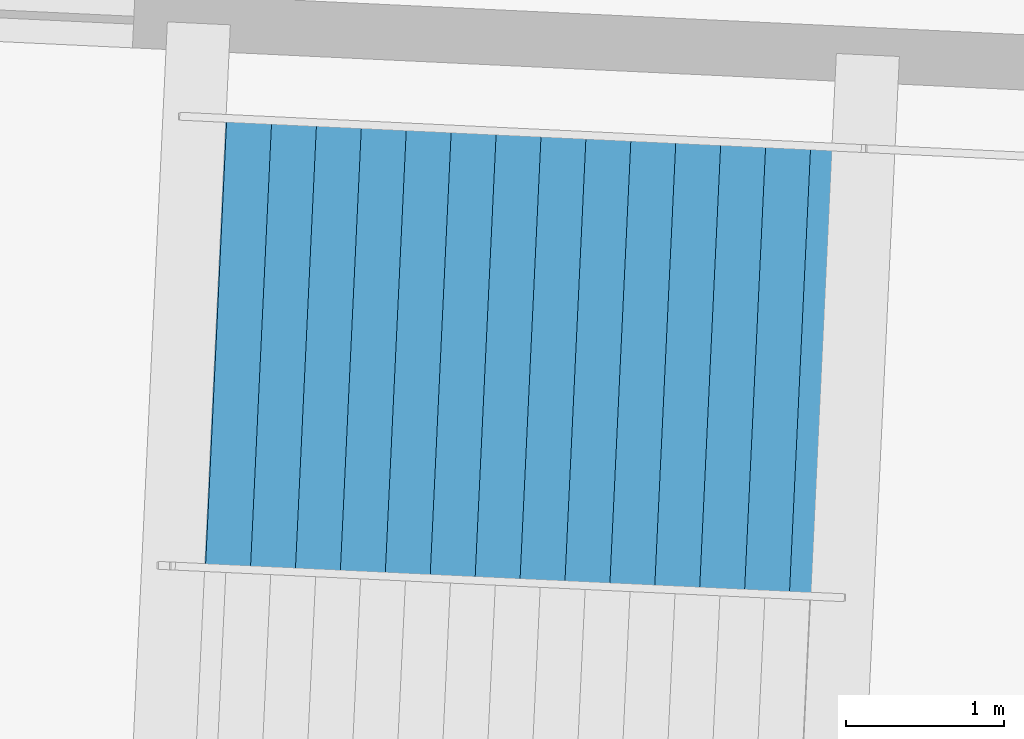
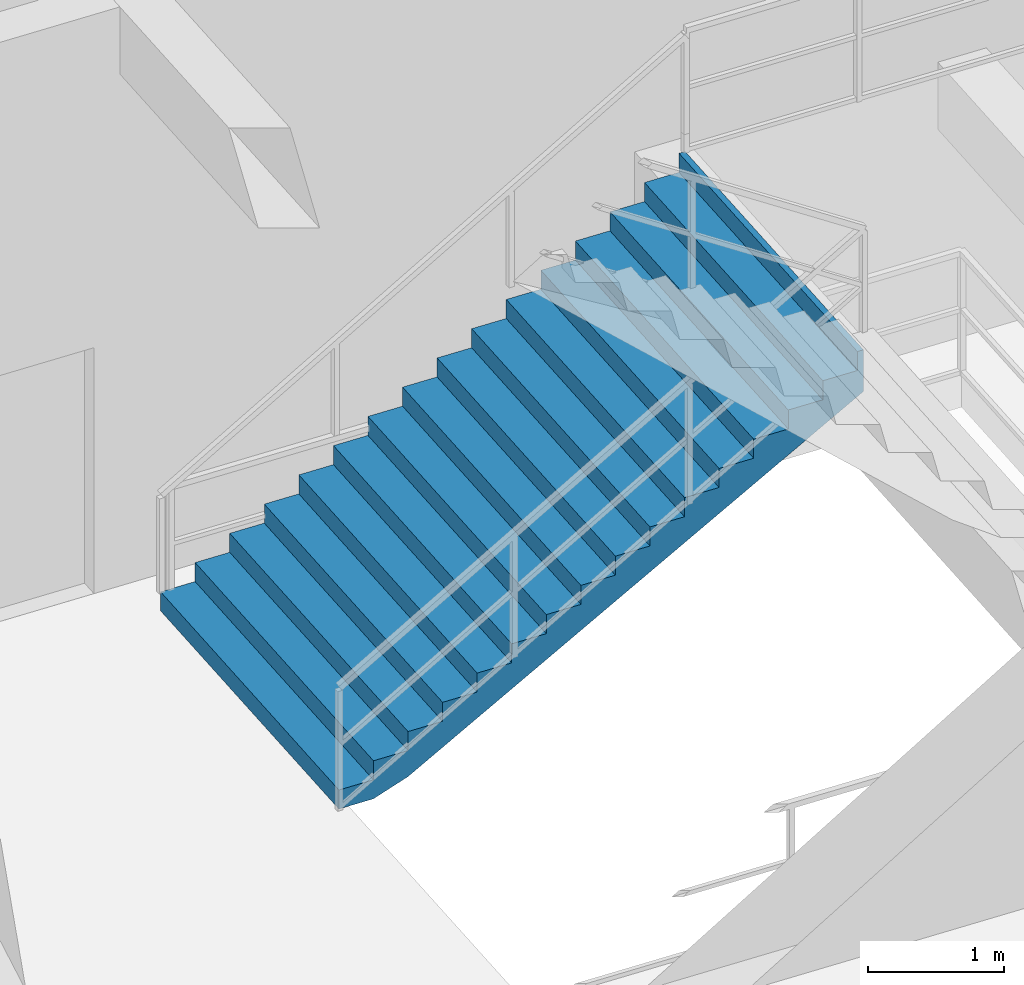
# One storey, part 147 of 186: 1 stair flight, 1 element without a shape of its own.
"""IFC4 building model written with IfcOpenShell, lengths in metres."""

from ifc_helpers import new_model, si_unit, direction, frame, origin, place, context, subcontext, project, spatial, polygons, material, type_object, element, aggregate, save


model = new_model("IFC4")

# Units and contexts
model_context = context("Model", 3, precision=1e-05, world=origin(), true_north=direction((0.0, 1.0)))
body_context = subcontext(model_context, "Body", "Model", "MODEL_VIEW")
ifc_project = project(units=[si_unit("LENGTHUNIT", "METRE"), si_unit("AREAUNIT", "SQUARE_METRE"), si_unit("VOLUMEUNIT", "CUBIC_METRE"), si_unit("PLANEANGLEUNIT", "RADIAN"), si_unit("MASSUNIT", "GRAM", prefix="KILO")], contexts=[model_context])

# Site, building, storey
site_placement = place(None, origin())
site = spatial("IfcSite", under=ifc_project, at=site_placement, CompositionType="ELEMENT")
building_placement = place(site_placement, origin())
building = spatial("IfcBuilding", under=site, at=building_placement, Name="Kazemori Nagisa Stadium", CompositionType="ELEMENT")
storey_placement = place(building_placement, frame((0.0, 0.0, 20.39990234375)))
storey = spatial("IfcBuildingStorey", under=building, at=storey_placement, Name="L04", CompositionType="ELEMENT", Elevation=20.39990234375)

# Stair, stair flight
ifc_material = material(Name="Concrete C36/45 (Fc36)", Category="concrete")
stair_type = type_object("IfcStairType", Name="Stair_CORE_32", PredefinedType="TWO_STRAIGHT_RUN_STAIR", material=ifc_material)
stair_placement = place(storey_placement, origin())
stair = element("IfcStair", 1, at=stair_placement, inside=storey, type_object=stair_type, Name="Exit stair ST12 L04", PredefinedType="TWO_STRAIGHT_RUN_STAIR")
stair_flight_type = type_object("IfcStairFlightType", Name="Flight_CORE_16", PredefinedType="STRAIGHT", material=ifc_material)
stair_flight_placement = place(storey_placement, frame((107.177490234375, 24.015380859375, 0.0), z_axis=(0.0, 0.0, 1.0), x_axis=(0.998881406673, -0.047285678619, 0.0)))
stair_flight = element("IfcStairFlight", 2, at=stair_flight_placement, type_object=stair_flight_type, Name="Exit stair ST12 L04 flight 1", NumberOfRisers=16, NumberOfTreads=15, PredefinedType="STRAIGHT", RiserHeight=0.17, TreadLength=0.285, context=body_context, shape_type="Tessellation", body=[
    polygons([(0.0, -1.425048828125, 0.0), (0.0, -1.425048828125, 0.169921875), (0.284912109375, -1.425048828125, 0.169921875), (0.284912109375, -1.425048828125, 0.340087890625), (0.570068359375, -1.425048828125, 0.340087890625), (0.570068359375, -1.425048828125, 0.510009765625), (0.85498046875, -1.425048828125, 0.510009765625), (0.85498046875, -1.425048828125, 0.679931640625), (1.139892578125, -1.425048828125, 0.679931640625), (1.139892578125, -1.425048828125, 0.85009765625), (1.425048828125, -1.425048828125, 0.85009765625), (1.425048828125, -1.425048828125, 1.02001953125), (1.7099609375, -1.425048828125, 1.02001953125), (1.7099609375, -1.425048828125, 1.18994140625), (1.9951171875, -1.425048828125, 1.18994140625), (1.9951171875, -1.425048828125, 1.360107421875), (2.280029296875, -1.425048828125, 1.360107421875), (2.280029296875, -1.425048828125, 1.530029296875), (2.56494140625, -1.425048828125, 1.530029296875), (2.56494140625, -1.425048828125, 1.699951171875), (2.85009765625, -1.425048828125, 1.699951171875), (2.85009765625, -1.425048828125, 1.8701171875), (3.135009765625, -1.425048828125, 1.8701171875), (3.135009765625, -1.425048828125, 2.0400390625), (3.419921875, -1.425048828125, 2.0400390625), (3.419921875, -1.425048828125, 2.2099609375), (3.705078125, -1.425048828125, 2.2099609375), (3.705078125, -1.425048828125, 2.3798828125), (3.989990234375, -1.425048828125, 2.3798828125), (3.989990234375, -1.425048828125, 2.550048828125), (4.27490234375, -1.425048828125, 2.550048828125), (4.27490234375, -1.425048828125, 2.719970703125), (4.324951171875, -1.425048828125, 2.719970703125), (4.324951171875, -1.425048828125, 2.346923828125), (4.27490234375, -1.425048828125, 2.317138671875), (3.989990234375, -1.425048828125, 2.147216796875), (3.705078125, -1.425048828125, 1.977294921875), (3.419921875, -1.425048828125, 1.80712890625), (3.135009765625, -1.425048828125, 1.63720703125), (2.85009765625, -1.425048828125, 1.46728515625), (2.56494140625, -1.425048828125, 1.297119140625), (2.280029296875, -1.425048828125, 1.127197265625), (1.9951171875, -1.425048828125, 0.957275390625), (1.7099609375, -1.425048828125, 0.787109375), (1.425048828125, -1.425048828125, 0.6171875), (1.139892578125, -1.425048828125, 0.447265625), (0.85498046875, -1.425048828125, 0.277099609375), (0.570068359375, -1.425048828125, 0.107177734375), (0.284912109375, -1.425048828125, 0.0), (0.0, -0.08544921875, 0.0), (0.0, -0.08544921875, 0.169921875), (0.284912109375, -0.08544921875, 0.169921875), (0.284912109375, -0.08544921875, 0.340087890625), (0.570068359375, -0.08544921875, 0.340087890625), (0.570068359375, -0.08544921875, 0.510009765625), (0.85498046875, -0.08544921875, 0.510009765625), (0.85498046875, -0.08544921875, 0.679931640625), (1.139892578125, -0.08544921875, 0.679931640625), (1.139892578125, -0.08544921875, 0.85009765625), (1.425048828125, -0.08544921875, 0.85009765625), (1.425048828125, -0.08544921875, 1.02001953125), (1.7099609375, -0.08544921875, 1.02001953125), (1.7099609375, -0.08544921875, 1.18994140625), (1.9951171875, -0.08544921875, 1.18994140625), (1.9951171875, -0.08544921875, 1.360107421875), (2.280029296875, -0.08544921875, 1.360107421875), (2.280029296875, -0.08544921875, 1.530029296875), (2.56494140625, -0.08544921875, 1.530029296875), (2.56494140625, -0.08544921875, 1.699951171875), (2.85009765625, -0.08544921875, 1.699951171875), (2.85009765625, -0.08544921875, 1.8701171875), (3.135009765625, -0.08544921875, 1.8701171875), (3.135009765625, -0.08544921875, 2.0400390625), (3.419921875, -0.08544921875, 2.0400390625), (3.419921875, -0.08544921875, 2.2099609375), (3.705078125, -0.08544921875, 2.2099609375), (3.705078125, -0.08544921875, 2.3798828125), (3.989990234375, -0.08544921875, 2.3798828125), (3.989990234375, -0.08544921875, 2.550048828125), (4.27490234375, -0.08544921875, 2.550048828125), (4.27490234375, -0.08544921875, 2.719970703125), (4.324951171875, -0.08544921875, 2.719970703125), (4.324951171875, -0.08544921875, 2.346923828125), (4.27490234375, -0.08544921875, 2.317138671875), (3.989990234375, -0.08544921875, 2.147216796875), (3.705078125, -0.08544921875, 1.977294921875), (3.419921875, -0.08544921875, 1.80712890625), (3.135009765625, -0.08544921875, 1.63720703125), (2.85009765625, -0.08544921875, 1.46728515625), (2.56494140625, -0.08544921875, 1.297119140625), (2.280029296875, -0.08544921875, 1.127197265625), (1.9951171875, -0.08544921875, 0.957275390625), (1.7099609375, -0.08544921875, 0.787109375), (1.425048828125, -0.08544921875, 0.6171875), (1.139892578125, -0.08544921875, 0.447265625), (0.85498046875, -0.08544921875, 0.277099609375), (0.570068359375, -0.08544921875, 0.107177734375), (0.284912109375, -0.08544921875, 0.0), (0.0, 0.0, 0.0), (0.0, 0.0, 0.169921875), (0.284912109375, 0.0, 0.169921875), (0.284912109375, 0.0, 0.340087890625), (0.570068359375, 0.0, 0.340087890625), (0.570068359375, 0.0, 0.510009765625), (0.85498046875, 0.0, 0.510009765625), (0.85498046875, 0.0, 0.679931640625), (1.139892578125, 0.0, 0.679931640625), (1.139892578125, 0.0, 0.85009765625), (1.425048828125, 0.0, 0.85009765625), (1.425048828125, 0.0, 1.02001953125), (1.7099609375, 0.0, 1.02001953125), (1.7099609375, 0.0, 1.18994140625), (1.9951171875, 0.0, 1.18994140625), (1.9951171875, 0.0, 1.360107421875), (2.280029296875, 0.0, 1.360107421875), (2.280029296875, 0.0, 1.530029296875), (2.56494140625, 0.0, 1.530029296875), (2.56494140625, 0.0, 1.699951171875), (2.85009765625, 0.0, 1.699951171875), (2.85009765625, 0.0, 1.8701171875), (3.135009765625, 0.0, 1.8701171875), (3.135009765625, 0.0, 2.0400390625), (3.419921875, 0.0, 2.0400390625), (3.419921875, 0.0, 2.2099609375), (3.705078125, 0.0, 2.2099609375), (3.705078125, 0.0, 2.3798828125), (3.989990234375, 0.0, 2.3798828125), (3.989990234375, 0.0, 2.550048828125), (4.27490234375, 0.0, 2.550048828125), (4.27490234375, 0.0, 2.719970703125), (4.324951171875, 0.0, 2.719970703125), (4.324951171875, 0.0, 2.346923828125), (4.27490234375, 0.0, 2.317138671875), (3.989990234375, 0.0, 2.147216796875), (3.705078125, 0.0, 1.977294921875), (3.419921875, 0.0, 1.80712890625), (3.135009765625, 0.0, 1.63720703125), (2.85009765625, 0.0, 1.46728515625), (2.56494140625, 0.0, 1.297119140625), (2.280029296875, 0.0, 1.127197265625), (1.9951171875, 0.0, 0.957275390625), (1.7099609375, 0.0, 0.787109375), (1.425048828125, 0.0, 0.6171875), (1.139892578125, 0.0, 0.447265625), (0.85498046875, 0.0, 0.277099609375), (0.570068359375, 0.0, 0.107177734375), (0.284912109375, 0.0, 0.0), (0.0, 0.08544921875, 0.0), (0.0, 0.08544921875, 0.169921875), (0.284912109375, 0.08544921875, 0.169921875), (0.284912109375, 0.08544921875, 0.340087890625), (0.570068359375, 0.08544921875, 0.340087890625), (0.570068359375, 0.08544921875, 0.510009765625), (0.85498046875, 0.08544921875, 0.510009765625), (0.85498046875, 0.08544921875, 0.679931640625), (1.139892578125, 0.08544921875, 0.679931640625), (1.139892578125, 0.08544921875, 0.85009765625), (1.425048828125, 0.08544921875, 0.85009765625), (1.425048828125, 0.08544921875, 1.02001953125), (1.7099609375, 0.08544921875, 1.02001953125), (1.7099609375, 0.08544921875, 1.18994140625), (1.9951171875, 0.08544921875, 1.18994140625), (1.9951171875, 0.08544921875, 1.360107421875), (2.280029296875, 0.08544921875, 1.360107421875), (2.280029296875, 0.08544921875, 1.530029296875), (2.56494140625, 0.08544921875, 1.530029296875), (2.56494140625, 0.08544921875, 1.699951171875), (2.85009765625, 0.08544921875, 1.699951171875), (2.85009765625, 0.08544921875, 1.8701171875), (3.135009765625, 0.08544921875, 1.8701171875), (3.135009765625, 0.08544921875, 2.0400390625), (3.419921875, 0.08544921875, 2.0400390625), (3.419921875, 0.08544921875, 2.2099609375), (3.705078125, 0.08544921875, 2.2099609375), (3.705078125, 0.08544921875, 2.3798828125), (3.989990234375, 0.08544921875, 2.3798828125), (3.989990234375, 0.08544921875, 2.550048828125), (4.27490234375, 0.08544921875, 2.550048828125), (4.27490234375, 0.08544921875, 2.719970703125), (4.324951171875, 0.08544921875, 2.719970703125), (4.324951171875, 0.08544921875, 2.346923828125), (4.27490234375, 0.08544921875, 2.317138671875), (3.989990234375, 0.08544921875, 2.147216796875), (3.705078125, 0.08544921875, 1.977294921875), (3.419921875, 0.08544921875, 1.80712890625), (3.135009765625, 0.08544921875, 1.63720703125), (2.85009765625, 0.08544921875, 1.46728515625), (2.56494140625, 0.08544921875, 1.297119140625), (2.280029296875, 0.08544921875, 1.127197265625), (1.9951171875, 0.08544921875, 0.957275390625), (1.7099609375, 0.08544921875, 0.787109375), (1.425048828125, 0.08544921875, 0.6171875), (1.139892578125, 0.08544921875, 0.447265625), (0.85498046875, 0.08544921875, 0.277099609375), (0.570068359375, 0.08544921875, 0.107177734375), (0.284912109375, 0.08544921875, 0.0), (0.0, 1.425048828125, 0.0), (0.0, 1.425048828125, 0.169921875), (0.284912109375, 1.425048828125, 0.169921875), (0.284912109375, 1.425048828125, 0.340087890625), (0.570068359375, 1.425048828125, 0.340087890625), (0.570068359375, 1.425048828125, 0.510009765625), (0.85498046875, 1.425048828125, 0.510009765625), (0.85498046875, 1.425048828125, 0.679931640625), (1.139892578125, 1.425048828125, 0.679931640625), (1.139892578125, 1.425048828125, 0.85009765625), (1.425048828125, 1.425048828125, 0.85009765625), (1.425048828125, 1.425048828125, 1.02001953125), (1.7099609375, 1.425048828125, 1.02001953125), (1.7099609375, 1.425048828125, 1.18994140625), (1.9951171875, 1.425048828125, 1.18994140625), (1.9951171875, 1.425048828125, 1.360107421875), (2.280029296875, 1.425048828125, 1.360107421875), (2.280029296875, 1.425048828125, 1.530029296875), (2.56494140625, 1.425048828125, 1.530029296875), (2.56494140625, 1.425048828125, 1.699951171875), (2.85009765625, 1.425048828125, 1.699951171875), (2.85009765625, 1.425048828125, 1.8701171875), (3.135009765625, 1.425048828125, 1.8701171875), (3.135009765625, 1.425048828125, 2.0400390625), (3.419921875, 1.425048828125, 2.0400390625), (3.419921875, 1.425048828125, 2.2099609375), (3.705078125, 1.425048828125, 2.2099609375), (3.705078125, 1.425048828125, 2.3798828125), (3.989990234375, 1.425048828125, 2.3798828125), (3.989990234375, 1.425048828125, 2.550048828125), (4.27490234375, 1.425048828125, 2.550048828125), (4.27490234375, 1.425048828125, 2.719970703125), (4.324951171875, 1.425048828125, 2.719970703125), (4.324951171875, 1.425048828125, 2.346923828125), (4.27490234375, 1.425048828125, 2.317138671875), (3.989990234375, 1.425048828125, 2.147216796875), (3.705078125, 1.425048828125, 1.977294921875), (3.419921875, 1.425048828125, 1.80712890625), (3.135009765625, 1.425048828125, 1.63720703125), (2.85009765625, 1.425048828125, 1.46728515625), (2.56494140625, 1.425048828125, 1.297119140625), (2.280029296875, 1.425048828125, 1.127197265625), (1.9951171875, 1.425048828125, 0.957275390625), (1.7099609375, 1.425048828125, 0.787109375), (1.425048828125, 1.425048828125, 0.6171875), (1.139892578125, 1.425048828125, 0.447265625), (0.85498046875, 1.425048828125, 0.277099609375), (0.570068359375, 1.425048828125, 0.107177734375), (0.284912109375, 1.425048828125, 0.0)], [[[1, 2, 51]], [[1, 51, 50]], [[2, 3, 52]], [[2, 52, 51]], [[3, 4, 53]], [[3, 53, 52]], [[4, 5, 54]], [[4, 54, 53]], [[5, 6, 55]], [[5, 55, 54]], [[6, 7, 56]], [[6, 56, 55]], [[7, 8, 57]], [[7, 57, 56]], [[8, 9, 58]], [[8, 58, 57]], [[9, 10, 59]], [[9, 59, 58]], [[10, 11, 60]], [[10, 60, 59]], [[11, 12, 61]], [[11, 61, 60]], [[12, 13, 62]], [[12, 62, 61]], [[13, 14, 63]], [[13, 63, 62]], [[14, 15, 64]], [[14, 64, 63]], [[15, 16, 65]], [[15, 65, 64]], [[16, 17, 66]], [[16, 66, 65]], [[17, 18, 67]], [[17, 67, 66]], [[18, 19, 68]], [[18, 68, 67]], [[19, 20, 69]], [[19, 69, 68]], [[20, 21, 70]], [[20, 70, 69]], [[21, 22, 71]], [[21, 71, 70]], [[22, 23, 72]], [[22, 72, 71]], [[23, 24, 73]], [[23, 73, 72]], [[24, 25, 74]], [[24, 74, 73]], [[25, 26, 75]], [[25, 75, 74]], [[26, 27, 76]], [[26, 76, 75]], [[27, 28, 77]], [[27, 77, 76]], [[28, 29, 78]], [[28, 78, 77]], [[29, 30, 79]], [[29, 79, 78]], [[30, 31, 80]], [[30, 80, 79]], [[31, 32, 81]], [[31, 81, 80]], [[32, 33, 82]], [[32, 82, 81]], [[33, 34, 83]], [[33, 83, 82]], [[34, 35, 84]], [[34, 84, 83]], [[35, 36, 85]], [[35, 85, 84]], [[36, 37, 86]], [[36, 86, 85]], [[37, 38, 87]], [[37, 87, 86]], [[38, 39, 88]], [[38, 88, 87]], [[39, 40, 89]], [[39, 89, 88]], [[40, 41, 90]], [[40, 90, 89]], [[41, 42, 91]], [[41, 91, 90]], [[42, 43, 92]], [[42, 92, 91]], [[43, 44, 93]], [[43, 93, 92]], [[44, 45, 94]], [[44, 94, 93]], [[45, 46, 95]], [[45, 95, 94]], [[46, 47, 96]], [[46, 96, 95]], [[47, 48, 97]], [[47, 97, 96]], [[48, 49, 98]], [[48, 98, 97]], [[49, 1, 50]], [[49, 50, 98]], [[50, 51, 100]], [[50, 100, 99]], [[51, 52, 101]], [[51, 101, 100]], [[52, 53, 102]], [[52, 102, 101]], [[53, 54, 103]], [[53, 103, 102]], [[54, 55, 104]], [[54, 104, 103]], [[55, 56, 105]], [[55, 105, 104]], [[56, 57, 106]], [[56, 106, 105]], [[57, 58, 107]], [[57, 107, 106]], [[58, 59, 108]], [[58, 108, 107]], [[59, 60, 109]], [[59, 109, 108]], [[60, 61, 110]], [[60, 110, 109]], [[61, 62, 111]], [[61, 111, 110]], [[62, 63, 112]], [[62, 112, 111]], [[63, 64, 113]], [[63, 113, 112]], [[64, 65, 114]], [[64, 114, 113]], [[65, 66, 115]], [[65, 115, 114]], [[66, 67, 116]], [[66, 116, 115]], [[67, 68, 117]], [[67, 117, 116]], [[68, 69, 118]], [[68, 118, 117]], [[69, 70, 119]], [[69, 119, 118]], [[70, 71, 120]], [[70, 120, 119]], [[71, 72, 121]], [[71, 121, 120]], [[72, 73, 122]], [[72, 122, 121]], [[73, 74, 123]], [[73, 123, 122]], [[74, 75, 124]], [[74, 124, 123]], [[75, 76, 125]], [[75, 125, 124]], [[76, 77, 126]], [[76, 126, 125]], [[77, 78, 127]], [[77, 127, 126]], [[78, 79, 128]], [[78, 128, 127]], [[79, 80, 129]], [[79, 129, 128]], [[80, 81, 130]], [[80, 130, 129]], [[81, 82, 131]], [[81, 131, 130]], [[82, 83, 132]], [[82, 132, 131]], [[83, 84, 133]], [[83, 133, 132]], [[84, 85, 134]], [[84, 134, 133]], [[85, 86, 135]], [[85, 135, 134]], [[86, 87, 136]], [[86, 136, 135]], [[87, 88, 137]], [[87, 137, 136]], [[88, 89, 138]], [[88, 138, 137]], [[89, 90, 139]], [[89, 139, 138]], [[90, 91, 140]], [[90, 140, 139]], [[91, 92, 141]], [[91, 141, 140]], [[92, 93, 142]], [[92, 142, 141]], [[93, 94, 143]], [[93, 143, 142]], [[94, 95, 144]], [[94, 144, 143]], [[95, 96, 145]], [[95, 145, 144]], [[96, 97, 146]], [[96, 146, 145]], [[97, 98, 147]], [[97, 147, 146]], [[98, 50, 99]], [[98, 99, 147]], [[99, 100, 149]], [[99, 149, 148]], [[100, 101, 150]], [[100, 150, 149]], [[101, 102, 151]], [[101, 151, 150]], [[102, 103, 152]], [[102, 152, 151]], [[103, 104, 153]], [[103, 153, 152]], [[104, 105, 154]], [[104, 154, 153]], [[105, 106, 155]], [[105, 155, 154]], [[106, 107, 156]], [[106, 156, 155]], [[107, 108, 157]], [[107, 157, 156]], [[108, 109, 158]], [[108, 158, 157]], [[109, 110, 159]], [[109, 159, 158]], [[110, 111, 160]], [[110, 160, 159]], [[111, 112, 161]], [[111, 161, 160]], [[112, 113, 162]], [[112, 162, 161]], [[113, 114, 163]], [[113, 163, 162]], [[114, 115, 164]], [[114, 164, 163]], [[115, 116, 165]], [[115, 165, 164]], [[116, 117, 166]], [[116, 166, 165]], [[117, 118, 167]], [[117, 167, 166]], [[118, 119, 168]], [[118, 168, 167]], [[119, 120, 169]], [[119, 169, 168]], [[120, 121, 170]], [[120, 170, 169]], [[121, 122, 171]], [[121, 171, 170]], [[122, 123, 172]], [[122, 172, 171]], [[123, 124, 173]], [[123, 173, 172]], [[124, 125, 174]], [[124, 174, 173]], [[125, 126, 175]], [[125, 175, 174]], [[126, 127, 176]], [[126, 176, 175]], [[127, 128, 177]], [[127, 177, 176]], [[128, 129, 178]], [[128, 178, 177]], [[129, 130, 179]], [[129, 179, 178]], [[130, 131, 180]], [[130, 180, 179]], [[131, 132, 181]], [[131, 181, 180]], [[132, 133, 182]], [[132, 182, 181]], [[133, 134, 183]], [[133, 183, 182]], [[134, 135, 184]], [[134, 184, 183]], [[135, 136, 185]], [[135, 185, 184]], [[136, 137, 186]], [[136, 186, 185]], [[137, 138, 187]], [[137, 187, 186]], [[138, 139, 188]], [[138, 188, 187]], [[139, 140, 189]], [[139, 189, 188]], [[140, 141, 190]], [[140, 190, 189]], [[141, 142, 191]], [[141, 191, 190]], [[142, 143, 192]], [[142, 192, 191]], [[143, 144, 193]], [[143, 193, 192]], [[144, 145, 194]], [[144, 194, 193]], [[145, 146, 195]], [[145, 195, 194]], [[146, 147, 196]], [[146, 196, 195]], [[147, 99, 148]], [[147, 148, 196]], [[148, 149, 198]], [[148, 198, 197]], [[149, 150, 199]], [[149, 199, 198]], [[150, 151, 200]], [[150, 200, 199]], [[151, 152, 201]], [[151, 201, 200]], [[152, 153, 202]], [[152, 202, 201]], [[153, 154, 203]], [[153, 203, 202]], [[154, 155, 204]], [[154, 204, 203]], [[155, 156, 205]], [[155, 205, 204]], [[156, 157, 206]], [[156, 206, 205]], [[157, 158, 207]], [[157, 207, 206]], [[158, 159, 208]], [[158, 208, 207]], [[159, 160, 209]], [[159, 209, 208]], [[160, 161, 210]], [[160, 210, 209]], [[161, 162, 211]], [[161, 211, 210]], [[162, 163, 212]], [[162, 212, 211]], [[163, 164, 213]], [[163, 213, 212]], [[164, 165, 214]], [[164, 214, 213]], [[165, 166, 215]], [[165, 215, 214]], [[166, 167, 216]], [[166, 216, 215]], [[167, 168, 217]], [[167, 217, 216]], [[168, 169, 218]], [[168, 218, 217]], [[169, 170, 219]], [[169, 219, 218]], [[170, 171, 220]], [[170, 220, 219]], [[171, 172, 221]], [[171, 221, 220]], [[172, 173, 222]], [[172, 222, 221]], [[173, 174, 223]], [[173, 223, 222]], [[174, 175, 224]], [[174, 224, 223]], [[175, 176, 225]], [[175, 225, 224]], [[176, 177, 226]], [[176, 226, 225]], [[177, 178, 227]], [[177, 227, 226]], [[178, 179, 228]], [[178, 228, 227]], [[179, 180, 229]], [[179, 229, 228]], [[180, 181, 230]], [[180, 230, 229]], [[181, 182, 231]], [[181, 231, 230]], [[182, 183, 232]], [[182, 232, 231]], [[183, 184, 233]], [[183, 233, 232]], [[184, 185, 234]], [[184, 234, 233]], [[185, 186, 235]], [[185, 235, 234]], [[186, 187, 236]], [[186, 236, 235]], [[187, 188, 237]], [[187, 237, 236]], [[188, 189, 238]], [[188, 238, 237]], [[189, 190, 239]], [[189, 239, 238]], [[190, 191, 240]], [[190, 240, 239]], [[191, 192, 241]], [[191, 241, 240]], [[192, 193, 242]], [[192, 242, 241]], [[193, 194, 243]], [[193, 243, 242]], [[194, 195, 244]], [[194, 244, 243]], [[195, 196, 245]], [[195, 245, 244]], [[196, 148, 197]], [[196, 197, 245]], [[3, 2, 1]], [[197, 198, 199]], [[49, 3, 1]], [[197, 199, 245]], [[48, 3, 49]], [[245, 199, 244]], [[5, 3, 48]], [[244, 199, 201]], [[5, 4, 3]], [[199, 200, 201]], [[47, 5, 48]], [[244, 201, 243]], [[7, 5, 47]], [[243, 201, 203]], [[7, 6, 5]], [[201, 202, 203]], [[46, 7, 47]], [[243, 203, 242]], [[9, 7, 46]], [[242, 203, 205]], [[9, 8, 7]], [[203, 204, 205]], [[45, 9, 46]], [[242, 205, 241]], [[11, 9, 45]], [[241, 205, 207]], [[11, 10, 9]], [[205, 206, 207]], [[44, 11, 45]], [[241, 207, 240]], [[13, 11, 44]], [[240, 207, 209]], [[13, 12, 11]], [[207, 208, 209]], [[43, 13, 44]], [[240, 209, 239]], [[15, 13, 43]], [[239, 209, 211]], [[15, 14, 13]], [[209, 210, 211]], [[42, 15, 43]], [[239, 211, 238]], [[17, 15, 42]], [[238, 211, 213]], [[17, 16, 15]], [[211, 212, 213]], [[41, 17, 42]], [[238, 213, 237]], [[19, 17, 41]], [[237, 213, 215]], [[19, 18, 17]], [[213, 214, 215]], [[40, 19, 41]], [[237, 215, 236]], [[21, 19, 40]], [[236, 215, 217]], [[21, 20, 19]], [[215, 216, 217]], [[39, 21, 40]], [[236, 217, 235]], [[23, 21, 39]], [[235, 217, 219]], [[23, 22, 21]], [[217, 218, 219]], [[38, 23, 39]], [[235, 219, 234]], [[25, 23, 38]], [[234, 219, 221]], [[25, 24, 23]], [[219, 220, 221]], [[37, 25, 38]], [[234, 221, 233]], [[27, 25, 37]], [[233, 221, 223]], [[27, 26, 25]], [[221, 222, 223]], [[36, 27, 37]], [[233, 223, 232]], [[29, 27, 36]], [[232, 223, 225]], [[29, 28, 27]], [[223, 224, 225]], [[35, 29, 36]], [[232, 225, 231]], [[31, 29, 35]], [[231, 225, 227]], [[31, 30, 29]], [[225, 226, 227]], [[34, 31, 35]], [[231, 227, 230]], [[33, 31, 34]], [[230, 227, 229]], [[33, 32, 31]], [[227, 228, 229]]], closed=True),
])
aggregate(stair, [stair_flight])

save(model, "model.ifc")
